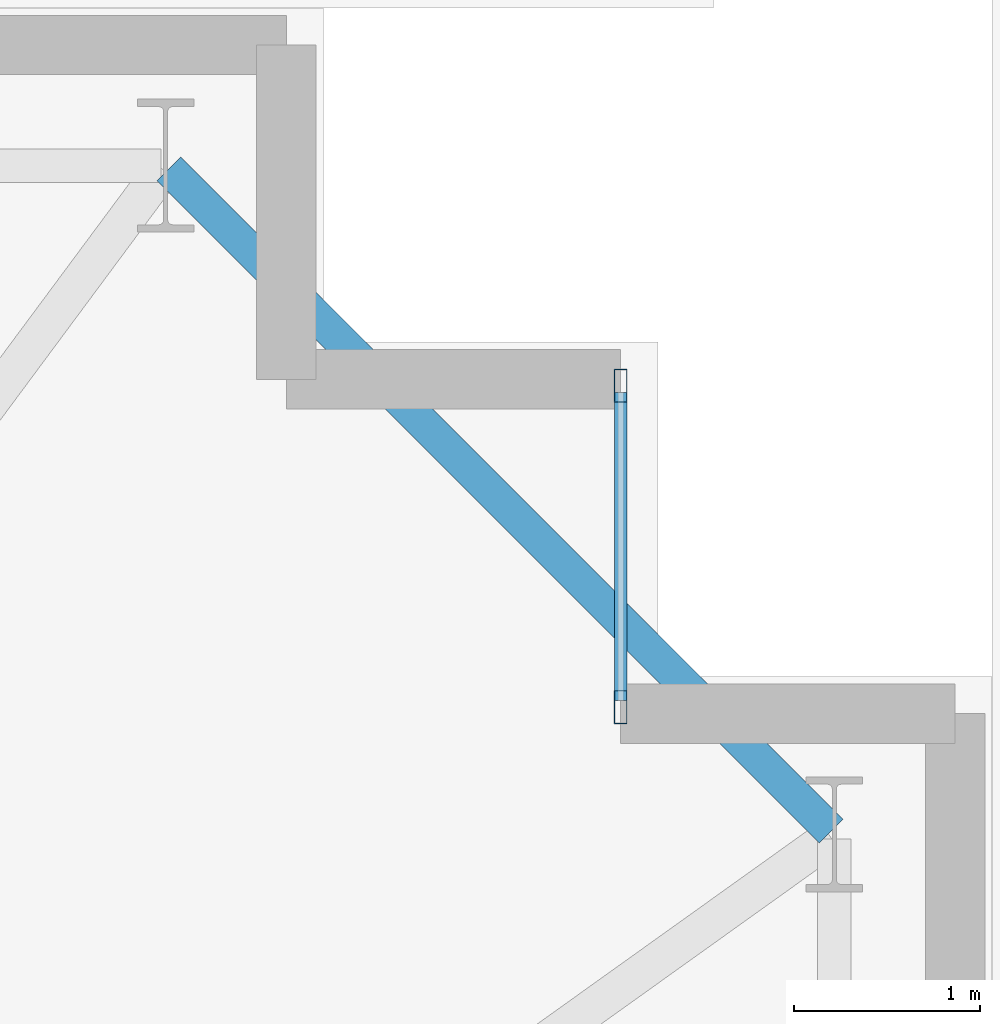
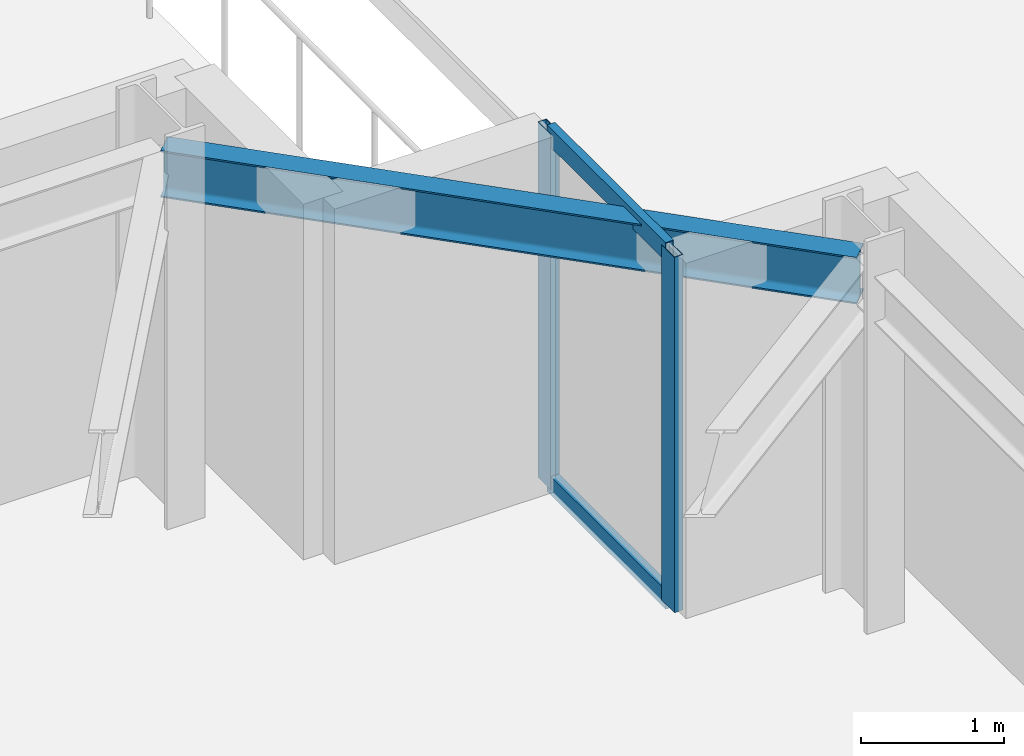
# One storey, part 10 of 21: 4 members, 1 beam, 1 element without a shape of its own.
"""IFC4 building model written with IfcOpenShell, lengths in metres."""

from ifc_helpers import new_model, si_unit, direction, frame, origin, origin_2d, place, context, subcontext, project, spatial, hollow_rectangle, i_section, extrude, material, layer, layer_set, material_profile, profile_set, type_object, element, aggregate, save


model = new_model("IFC4")

# Units and contexts
model_context = context("Model", 3, precision=1e-05, world=origin(), true_north=direction((0.0, 1.0)))
body_context = subcontext(model_context, "Body", "Model", "MODEL_VIEW")
ifc_project = project(units=[si_unit("LENGTHUNIT", "METRE"), si_unit("AREAUNIT", "SQUARE_METRE"), si_unit("VOLUMEUNIT", "CUBIC_METRE"), si_unit("PLANEANGLEUNIT", "RADIAN"), si_unit("MASSUNIT", "GRAM", prefix="KILO")], contexts=[model_context])

# Site, building, storey
site_placement = place(None, origin())
site = spatial("IfcSite", under=ifc_project, at=site_placement, CompositionType="ELEMENT")
building_placement = place(site_placement, origin())
building = spatial("IfcBuilding", under=site, at=building_placement, Name="Qobustan Lattice House", CompositionType="ELEMENT")
storey_placement = place(building_placement, frame((0.0, 0.0, 27.0)))
storey = spatial("IfcBuildingStorey", under=building, at=storey_placement, Name="L06", CompositionType="ELEMENT", Elevation=27.0)

# Beam
ifc_material_1 = material(Name="Steel S355", Category="steel")
ifc_material_profile_1 = material_profile(ifc_material_1, i_section(OverallWidth=0.179931640625, OverallDepth=0.39990234375, WebThickness=0.008544921875, FlangeThickness=0.013427734375, FilletRadius=0.02099609375, at=origin_2d()), Name="IPE400")
ifc_profile_set_1 = profile_set([ifc_material_profile_1], Name="Steel S355")
beam_type = type_object("IfcBeamType", Name="BM-SPD-IPE400", PredefinedType="SPANDREL", material=ifc_profile_set_1)
beam_placement = place(storey_placement, frame((32.13232421875, 15.167724609375, 2.8349609375), z_axis=(-0.707106781187, 0.707106781187, 0.0), x_axis=(-0.707106781187, -0.707106781187, 0.0)))
element("IfcBeam", 1, at=beam_placement, inside=storey, type_object=beam_type, Name="L06 perimeter spandrel E4-N1", PredefinedType="SPANDREL", context=body_context, shape_type="SweptSolid", body=[
    extrude(i_section(OverallWidth=0.179931640625, OverallDepth=0.39990234375, WebThickness=0.008544921875, FlangeThickness=0.013427734375, FilletRadius=0.02099609375, at=origin_2d()), origin(), (0.0, 0.0, 1.0), 5.041259765625),
])

# Curtain wall, members
ifc_material_2 = material(Name="Anodised aluminium and low-E glazing", Category="aluminium")
ifc_layer = layer(ifc_material_2, 0.219970703125)
ifc_layer_set = layer_set([ifc_layer], Name="Anodised aluminium and low-E glazing")
curtain_wall_type = type_object("IfcCurtainWallType", Name="CW-FAC-01", PredefinedType="USERDEFINED", material=ifc_layer_set)
curtain_wall_placement = place(storey_placement, origin())
curtain_wall = element("IfcCurtainWall", 2, at=curtain_wall_placement, inside=storey, type_object=curtain_wall_type, Name="L06 serrated corner faceted glazing 13", ObjectType="CURTAIN WALL", PredefinedType="USERDEFINED")
ifc_material_3 = material(Name="Anodised aluminium EN AW-6063 T6", Category="aluminium")
ifc_material_profile_2 = material_profile(ifc_material_3, hollow_rectangle(XDim=0.070068359375, YDim=0.179931640625, WallThickness=0.00439453125, at=origin_2d()), Name="CWM-180x70")
ifc_profile_set_2 = profile_set([ifc_material_profile_2], Name="Anodised aluminium EN AW-6063 T6")
member_type_1 = type_object("IfcMemberType", Name="CWM-STD-180", PredefinedType="MULLION", material=ifc_profile_set_2)
member_1_placement = place(storey_placement, frame((31.0, 17.56494140625, 0.0), z_axis=(0.0, 0.0, 1.0), x_axis=(1.0, 0.0, 0.0)))
member_1 = element("IfcMember", 3, at=member_1_placement, type_object=member_type_1, Name="CW-F1 mullion 1", PredefinedType="MULLION", context=body_context, shape_type="SweptSolid", body=[
    extrude(hollow_rectangle(XDim=0.070068359375, YDim=0.179931640625, WallThickness=0.00439453125, at=origin_2d()), origin(), (0.0, 0.0, 1.0), 3.034912109375),
])
member_2_placement = place(storey_placement, frame((31.0, 15.8349609375, 0.0), z_axis=(0.0, 0.0, 1.0), x_axis=(1.0, 0.0, 0.0)))
member_2 = element("IfcMember", 4, at=member_2_placement, type_object=member_type_1, Name="CW-F1 mullion 2", PredefinedType="MULLION", context=body_context, shape_type="SweptSolid", body=[
    extrude(hollow_rectangle(XDim=0.070068359375, YDim=0.179931640625, WallThickness=0.00439453125, at=origin_2d()), origin(), (0.0, 0.0, 1.0), 3.034912109375),
])
ifc_material_4 = material(Name="Anodised aluminium EN AW-6063 T6", Category="aluminium")
ifc_material_profile_3 = material_profile(ifc_material_4, hollow_rectangle(XDim=0.06494140625, YDim=0.159912109375, WallThickness=0.00390625, at=origin_2d()), Name="CWT-160x65")
ifc_profile_set_3 = profile_set([ifc_material_profile_3], Name="Anodised aluminium EN AW-6063 T6")
member_type_2 = type_object("IfcMemberType", Name="CWT-HOR-160", PredefinedType="USERDEFINED", material=ifc_profile_set_3)
member_3_placement = place(storey_placement, frame((31.0, 17.530029296875, 0.032470703125), z_axis=(0.0, -1.0, 0.0), x_axis=(1.0, 0.0, 0.0)))
member_3 = element("IfcMember", 5, at=member_3_placement, type_object=member_type_2, Name="CW-F1 transom 1.1", ObjectType="TRANSOM", PredefinedType="USERDEFINED", context=body_context, shape_type="SweptSolid", body=[
    extrude(hollow_rectangle(XDim=0.06494140625, YDim=0.159912109375, WallThickness=0.00390625, at=origin_2d()), origin(), (0.0, 0.0, 1.0), 1.659912109375),
])
member_4_placement = place(storey_placement, frame((31.0, 17.530029296875, 3.00244140625), z_axis=(0.0, -1.0, 0.0), x_axis=(1.0, 0.0, 0.0)))
member_4 = element("IfcMember", 6, at=member_4_placement, type_object=member_type_2, Name="CW-F1 transom 1.2", ObjectType="TRANSOM", PredefinedType="USERDEFINED", context=body_context, shape_type="SweptSolid", body=[
    extrude(hollow_rectangle(XDim=0.06494140625, YDim=0.159912109375, WallThickness=0.00390625, at=origin_2d()), origin(), (0.0, 0.0, 1.0), 1.659912109375),
])
aggregate(curtain_wall, [member_1, member_2, member_3, member_4])

save(model, "model.ifc")
